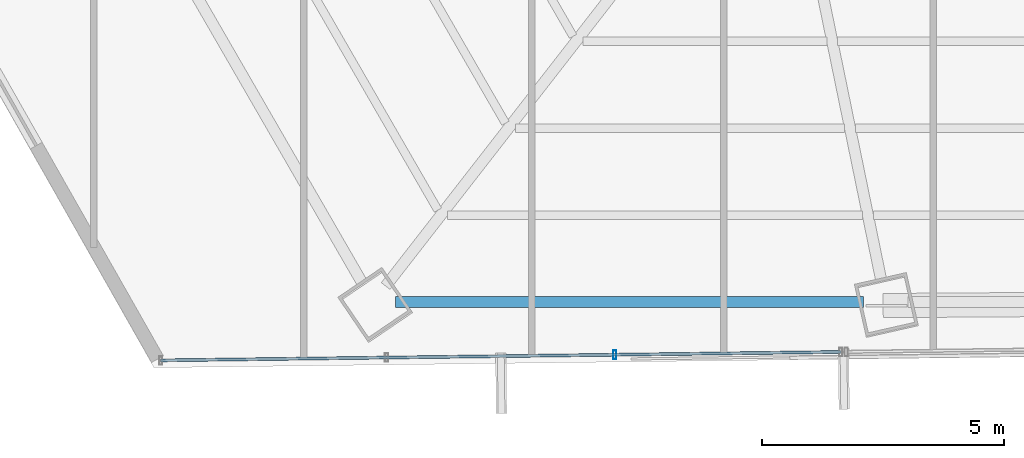
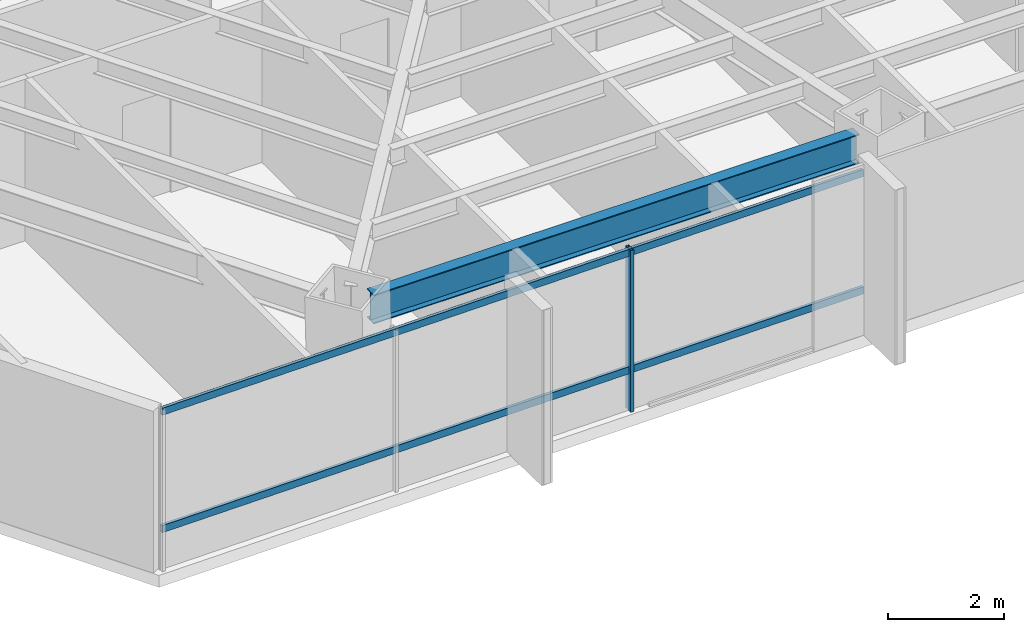
# One storey, part 5 of 37: 3 members, 1 beam, 1 element without a shape of its own.
"""IFC4 building model written with IfcOpenShell, lengths in metres."""

import ifcopenshell
import ifcopenshell.guid

model = None  # the IFC model being written
_history = None  # IfcOwnerHistory: only IFC2X3 demands one
_inside = {}  # id of a spatial element -> (the spatial element, [elements in it])
_under = {}  # id of a project, library or spatial element -> (it, [spatial elements below it])
_declared = {}  # id of a project -> (the project, [libraries it declares])
_typed = {}  # id of a type object -> (the type object, [elements of that type])
_made_of = {}  # id of a material, layer set ... -> (it, [elements and type objects made of it])


def new_model(schema):
    """Start an empty IFC model of exactly this schema.

    Asked for "IFC4X3", IfcOpenShell would pick the latest addendum, in which some entities
    have other attributes; the version numbers below select the first issue.
    IFC2X3 requires an IfcOwnerHistory on every rooted entity: one is made here for all.
    """
    global model, _history
    if schema == "IFC4X3":
        model = ifcopenshell.file(schema_version=(4, 3, 0, 0))
    else:
        model = ifcopenshell.file(schema=schema)
    _inside.clear()
    _under.clear()
    _declared.clear()
    _typed.clear()
    _made_of.clear()
    _history = None
    if model.schema == "IFC2X3":
        org = make("IfcOrganization", Name="unknown")
        user = make(
            "IfcPersonAndOrganization",
            ThePerson=make("IfcPerson", FamilyName="unknown"),
            TheOrganization=org,
        )
        app = make(
            "IfcApplication",
            ApplicationDeveloper=org,
            Version="unknown",
            ApplicationFullName="unknown",
            ApplicationIdentifier="unknown",
        )
        _history = make(
            "IfcOwnerHistory",
            OwningUser=user,
            OwningApplication=app,
            ChangeAction="ADDED",
            CreationDate=0,
        )
    return model


def make(cls, **values):
    """One entity of the class cls with the attributes given. An attribute that is None is left unset."""
    return model.create_entity(
        cls, **{name: value for name, value in values.items() if value is not None}
    )


def rooted(cls, **values):
    """An entity with a GlobalId (a new one), such as an element, a storey or a relation."""
    return make(cls, GlobalId=ifcopenshell.guid.new(), OwnerHistory=_history, **values)


def si_unit(unit_type, name, prefix=None):
    """IfcSIUnit, for example si_unit("LENGTHUNIT", "METRE", prefix="MILLI")."""
    return make("IfcSIUnit", UnitType=unit_type, Prefix=prefix, Name=name)


def assignment(units):
    """IfcUnitAssignment: the units of a project."""
    return None if units is None else make("IfcUnitAssignment", Units=units)


def point(xyz):
    """IfcCartesianPoint."""
    return None if xyz is None else make("IfcCartesianPoint", Coordinates=xyz)


def direction(xyz):
    """IfcDirection."""
    return None if xyz is None else make("IfcDirection", DirectionRatios=xyz)


def frame(location, z_axis=None, x_axis=None):
    """IfcAxis2Placement3D, a coordinate frame: its origin and axes. An axis left out is left unset."""
    return make(
        "IfcAxis2Placement3D",
        Location=point(location),
        Axis=direction(z_axis),
        RefDirection=direction(x_axis),
    )


def frame_2d(location, x_axis=None):
    """IfcAxis2Placement2D, a coordinate frame in the plane: its origin and x axis."""
    return make(
        "IfcAxis2Placement2D", Location=point(location), RefDirection=direction(x_axis)
    )


def origin():
    """The frame at (0, 0, 0) with its axes left unset."""
    return frame((0.0, 0.0, 0.0))


def origin_2d():
    """The frame at (0, 0) in the plane with its x axis left unset."""
    return frame_2d((0.0, 0.0))


def place(relative_to, where):
    """IfcLocalPlacement: puts the frame where relative to a parent placement (None: the world)."""
    return make(
        "IfcLocalPlacement", PlacementRelTo=relative_to, RelativePlacement=where
    )


def context(
    kind, dimensions, precision=None, world=None, true_north=None, identifier=None
):
    """IfcGeometricRepresentationContext, for example the 3D "Model" context."""
    return make(
        "IfcGeometricRepresentationContext",
        ContextIdentifier=identifier,
        ContextType=kind,
        CoordinateSpaceDimension=dimensions,
        Precision=precision,
        WorldCoordinateSystem=world,
        TrueNorth=true_north,
    )


def subcontext(parent, identifier, kind, view, scale=None):
    """IfcGeometricRepresentationSubContext, for example "Body" below "Model"."""
    return make(
        "IfcGeometricRepresentationSubContext",
        ContextIdentifier=identifier,
        ContextType=kind,
        ParentContext=parent,
        TargetScale=scale,
        TargetView=view,
    )


def project(units=None, contexts=None):
    """IfcProject with its units and contexts."""
    return rooted(
        "IfcProject",
        Name="project",
        RepresentationContexts=contexts,
        UnitsInContext=assignment(units),
    )


def spatial(cls, under=None, at=None, **own):
    """A site, building, storey or space (cls), placed at a placement, below another one or the project."""
    s = rooted(cls, ObjectPlacement=at, **own)
    if under is not None:
        _under.setdefault(under.id(), (under, []))[1].append(s)
    return s


def profile(cls, at=None, kind="AREA", **sizes):
    """A parametric profile (cls). Its sizes go by their IFC names, for example OverallWidth=200.0."""
    return make(cls, ProfileType=kind, Position=at, **sizes)


def hollow_rectangle(**sizes):
    """IfcRectangleHollowProfileDef."""
    return profile("IfcRectangleHollowProfileDef", **sizes)


def i_section(**sizes):
    """IfcIShapeProfileDef."""
    return profile("IfcIShapeProfileDef", **sizes)


def extrude(swept, where, along, depth):
    """IfcExtrudedAreaSolid: the profile swept, set in the frame where, extruded along a direction by depth."""
    return make(
        "IfcExtrudedAreaSolid",
        SweptArea=swept,
        Position=where,
        ExtrudedDirection=direction(along),
        Depth=depth,
    )


def shape(context_of_items, identifier, shape_type, items):
    """IfcShapeRepresentation: the items that make up one representation, for example the "Body"."""
    return make(
        "IfcShapeRepresentation",
        ContextOfItems=context_of_items,
        RepresentationIdentifier=identifier,
        RepresentationType=shape_type,
        Items=items,
    )


def source(mapping_origin, context_of_items, identifier, shape_type, items):
    """IfcRepresentationMap: a shape defined once, which mapped items show again and again."""
    return make(
        "IfcRepresentationMap",
        MappingOrigin=mapping_origin,
        MappedRepresentation=shape(context_of_items, identifier, shape_type, items),
    )


def transform(
    local_origin,
    x_axis=None,
    y_axis=None,
    z_axis=None,
    scale=None,
    scale2=None,
    scale3=None,
    uniform=True,
):
    """IfcCartesianTransformationOperator3D, or its non-uniform kind. x_axis, y_axis, z_axis: its Axis1, 2, 3."""
    if uniform:
        return make(
            "IfcCartesianTransformationOperator3D",
            Axis1=direction(x_axis),
            Axis2=direction(y_axis),
            LocalOrigin=point(local_origin),
            Scale=scale,
            Axis3=direction(z_axis),
        )
    return make(
        "IfcCartesianTransformationOperator3DnonUniform",
        Axis1=direction(x_axis),
        Axis2=direction(y_axis),
        LocalOrigin=point(local_origin),
        Scale=scale,
        Axis3=direction(z_axis),
        Scale2=scale2,
        Scale3=scale3,
    )


def mapped(mapping_source, mapping_target):
    """IfcMappedItem: shows the shape of a source again, moved by a transform."""
    return make(
        "IfcMappedItem", MappingSource=mapping_source, MappingTarget=mapping_target
    )


def material(Name=None, Category=None):
    """IfcMaterial."""
    return make("IfcMaterial", Name=Name, Category=Category)


def material_profile(
    of_material, cross_section, Name=None, Category=None, Priority=None
):
    """IfcMaterialProfile: a cross section and its material."""
    return make(
        "IfcMaterialProfile",
        Name=Name,
        Material=of_material,
        Profile=cross_section,
        Priority=Priority,
        Category=Category,
    )


def profile_set(profiles, Name=None, composite=None):
    """IfcMaterialProfileSet."""
    return make(
        "IfcMaterialProfileSet",
        Name=Name,
        MaterialProfiles=profiles,
        CompositeProfile=composite,
    )


def made_of(thing, what):
    """Note that an element or type object is made of a material, layer set ...; save() writes the relation."""
    if what is not None:
        _made_of.setdefault(what.id(), (what, []))[1].append(thing)
    return thing


def type_object(cls, material=None, **own):
    """A type object (cls), such as IfcWallType, which elements share."""
    return made_of(rooted(cls, **own), material)


def type_shapes(of_type, sources):
    """Give a type object the sources (RepresentationMaps) that its elements show as mapped items."""
    of_type.RepresentationMaps = sources


def element(
    cls,
    number,
    at=None,
    inside=None,
    cuts=None,
    type_object=None,
    material=None,
    context=None,
    identifier="Body",
    shape_type=None,
    held_by="IfcProductDefinitionShape",
    body=None,
    shapes=None,
    **own,
):
    """One element of the class cls, such as IfcWall. Its Tag is "e" and its number.

    at: its placement. inside: the storey or other place that contains it. cuts: it is an
    opening in that element (IfcRelVoidsElement). A single representation is given by context,
    identifier, shape_type and body (its items); several are given by shapes. held_by: the class
    of the entity that holds the representations. save() writes the other relations.
    """
    e = rooted(cls, Tag="e%d" % number, ObjectPlacement=at, **own)
    if body is not None:
        shapes = [shape(context, identifier, shape_type, body)]
    if shapes is not None:
        e.Representation = make(held_by, Representations=shapes)
    if inside is not None:
        _inside.setdefault(inside.id(), (inside, []))[1].append(e)
    if cuts is not None:
        rooted(
            "IfcRelVoidsElement", RelatingBuildingElement=cuts, RelatedOpeningElement=e
        )
    if type_object is not None:
        _typed.setdefault(type_object.id(), (type_object, []))[1].append(e)
    return made_of(e, material)


def aggregate(whole, parts):
    """IfcRelAggregates: a whole, such as a stair, and the parts it consists of."""
    return rooted("IfcRelAggregates", RelatingObject=whole, RelatedObjects=parts)


def save(model, path):
    """Write the relations noted so far, then the file.

    IfcRelAggregates (storeys below a building ...), IfcRelContainedInSpatialStructure (elements
    in a storey), IfcRelDefinesByType, IfcRelAssociatesMaterial and IfcRelDeclares: one each for
    every whole, place, type object, material and project.
    """
    for whole, parts in _under.values():
        aggregate(whole, parts)
    for where, things in _inside.values():
        rooted(
            "IfcRelContainedInSpatialStructure",
            RelatedElements=things,
            RelatingStructure=where,
        )
    for kind, things in _typed.values():
        rooted("IfcRelDefinesByType", RelatedObjects=things, RelatingType=kind)
    for what, things in _made_of.values():
        rooted("IfcRelAssociatesMaterial", RelatedObjects=things, RelatingMaterial=what)
    for by, libraries in _declared.values():
        rooted("IfcRelDeclares", RelatingContext=by, RelatedDefinitions=libraries)
    model.write(path)


model = new_model("IFC4")

# Units and contexts
model_context = context("Model", 3, precision=1e-05, world=origin(), true_north=direction((0.0, 1.0)))
body_context = subcontext(model_context, "Body", "Model", "MODEL_VIEW")
ifc_project = project(units=[si_unit("LENGTHUNIT", "METRE"), si_unit("AREAUNIT", "SQUARE_METRE"), si_unit("VOLUMEUNIT", "CUBIC_METRE"), si_unit("PLANEANGLEUNIT", "RADIAN"), si_unit("MASSUNIT", "GRAM", prefix="KILO")], contexts=[model_context])

# Site, building, storey
site_placement = place(None, origin())
site = spatial("IfcSite", under=ifc_project, at=site_placement, CompositionType="ELEMENT")
building_placement = place(site_placement, origin())
building = spatial("IfcBuilding", under=site, at=building_placement, Name="Caelisora Broadcast Tower", CompositionType="ELEMENT")
storey_placement = place(building_placement, frame((0.0, 0.0, 116.35009765625)))
storey = spatial("IfcBuildingStorey", under=building, at=storey_placement, Name="L30", CompositionType="ELEMENT", Elevation=116.35009765625)

# Beam
ifc_material_1 = material(Name="Steel Grade 350 (AS/NZS 3679.1)", Category="steel")
ifc_material_profile_1 = material_profile(ifc_material_1, i_section(OverallWidth=0.22900390625, OverallDepth=0.611572265625, WebThickness=0.011962890625, FlangeThickness=0.01953125, at=origin_2d()), Name="Steel Grade 350 (AS/NZS 3679.1)")
ifc_profile_set_1 = profile_set([ifc_material_profile_1], Name="Steel Grade 350 (AS/NZS 3679.1)")
beam_type = type_object("IfcBeamType", Name="PG03", PredefinedType="BEAM", material=ifc_profile_set_1)
shared_shape_1 = source(origin(), body_context, "Body", "SweptSolid", [
    extrude(i_section(OverallWidth=0.22900390625, OverallDepth=0.611572265625, WebThickness=0.011962890625, FlangeThickness=0.01953125, at=origin_2d()), origin(), (0.0, 0.0, 1.0), 9.66455078125),
])
type_shapes(beam_type, [shared_shape_1])
beam_placement = place(storey_placement, frame((22.583251953125, 6.630126953125, 3.093994140625), z_axis=(1.0, 0.0, 0.0), x_axis=(0.0, 1.0, 0.0)))
element("IfcBeam", 1, at=beam_placement, inside=storey, type_object=beam_type, Name="L30 beam PG03", PredefinedType="BEAM", context=body_context, shape_type="MappedRepresentation", body=[
    mapped(shared_shape_1, transform((0.0, 0.0, 0.0), scale=1.0)),
])

# Curtain wall, members
ifc_material_2 = material(Name="Unitised Aluminium and Low-E Glass Curtain Wall", Category="glass")
curtain_wall_type = type_object("IfcCurtainWallType", Name="CW-Z2", PredefinedType="NOTDEFINED", material=ifc_material_2)
curtain_wall_placement = place(storey_placement, origin())
curtain_wall = element("IfcCurtainWall", 2, at=curtain_wall_placement, inside=storey, type_object=curtain_wall_type, Name="L30 curtain wall CW-Z2", PredefinedType="NOTDEFINED")
ifc_material_3 = material(Name="Aluminium 6063-T6 Anodised Terracotta Bronze", Category="aluminium")
ifc_material_profile_2 = material_profile(ifc_material_3, hollow_rectangle(XDim=0.06494140625, YDim=0.179931640625, WallThickness=0.00341796875, at=origin_2d()), Name="Aluminium 6063-T6 Anodised Terracotta Bronze")
ifc_profile_set_2 = profile_set([ifc_material_profile_2], Name="Aluminium 6063-T6 Anodised Terracotta Bronze")
member_type_1 = type_object("IfcMemberType", Name="CWM-02", PredefinedType="MULLION", material=ifc_profile_set_2)
shared_shape_2 = source(origin(), body_context, "Body", "SweptSolid", [
    extrude(hollow_rectangle(XDim=0.06494140625, YDim=0.179931640625, WallThickness=0.00341796875, at=origin_2d()), origin(), (0.0, 0.0, 1.0), 3.39990234375),
])
type_shapes(member_type_1, [shared_shape_2])
member_1_placement = place(storey_placement, frame((27.1142578125, 5.541748046875, 0.0), z_axis=(0.0, 0.0, 1.0), x_axis=(1.0, 0.0, 0.0)))
member_1 = element("IfcMember", 3, at=member_1_placement, type_object=member_type_1, Name="L30-CW-B07 mullion #1", PredefinedType="MULLION", context=body_context, shape_type="MappedRepresentation", body=[
    mapped(shared_shape_2, transform((0.0, 0.0, 0.0), scale=1.0)),
])
ifc_material_profile_3 = material_profile(ifc_material_3, hollow_rectangle(XDim=0.06005859375, YDim=0.14990234375, WallThickness=0.00341796875, at=origin_2d()), Name="Aluminium 6063-T6 Anodised Terracotta Bronze")
ifc_profile_set_3 = profile_set([ifc_material_profile_3], Name="Aluminium 6063-T6 Anodised Terracotta Bronze")
member_type_2 = type_object("IfcMemberType", Name="CWT-02", PredefinedType="USERDEFINED", material=ifc_profile_set_3)
shared_shape_3 = source(origin(), body_context, "Body", "SweptSolid", [
    extrude(hollow_rectangle(XDim=0.06005859375, YDim=0.14990234375, WallThickness=0.00341796875, at=origin_2d()), origin(), (0.0, 0.0, 1.0), 14.051025390625),
])
type_shapes(member_type_2, [shared_shape_3])
member_2_placement = place(storey_placement, frame((31.781005859375, 5.599609375, 0.849853515625), z_axis=(-0.999923259697, -0.012388491271, 0.0), x_axis=(0.012388491271, -0.999923259697, 0.0)))
member_2 = element("IfcMember", 4, at=member_2_placement, type_object=member_type_2, Name="L30-CW-B07 transom #1", ObjectType="TRANSOM", PredefinedType="USERDEFINED", context=body_context, shape_type="MappedRepresentation", body=[
    mapped(shared_shape_3, transform((0.0, 0.0, 0.0), scale=1.0)),
])
member_3_placement = place(storey_placement, frame((31.781005859375, 5.599609375, 3.31982421875), z_axis=(-0.999923259697, -0.012388491271, 0.0), x_axis=(0.012388491271, -0.999923259697, 0.0)))
member_3 = element("IfcMember", 5, at=member_3_placement, type_object=member_type_2, Name="L30-CW-B07 transom #2", ObjectType="TRANSOM", PredefinedType="USERDEFINED", context=body_context, shape_type="MappedRepresentation", body=[
    mapped(shared_shape_3, transform((0.0, 0.0, 0.0), scale=1.0)),
])
aggregate(curtain_wall, [member_1, member_2, member_3])

save(model, "model.ifc")
